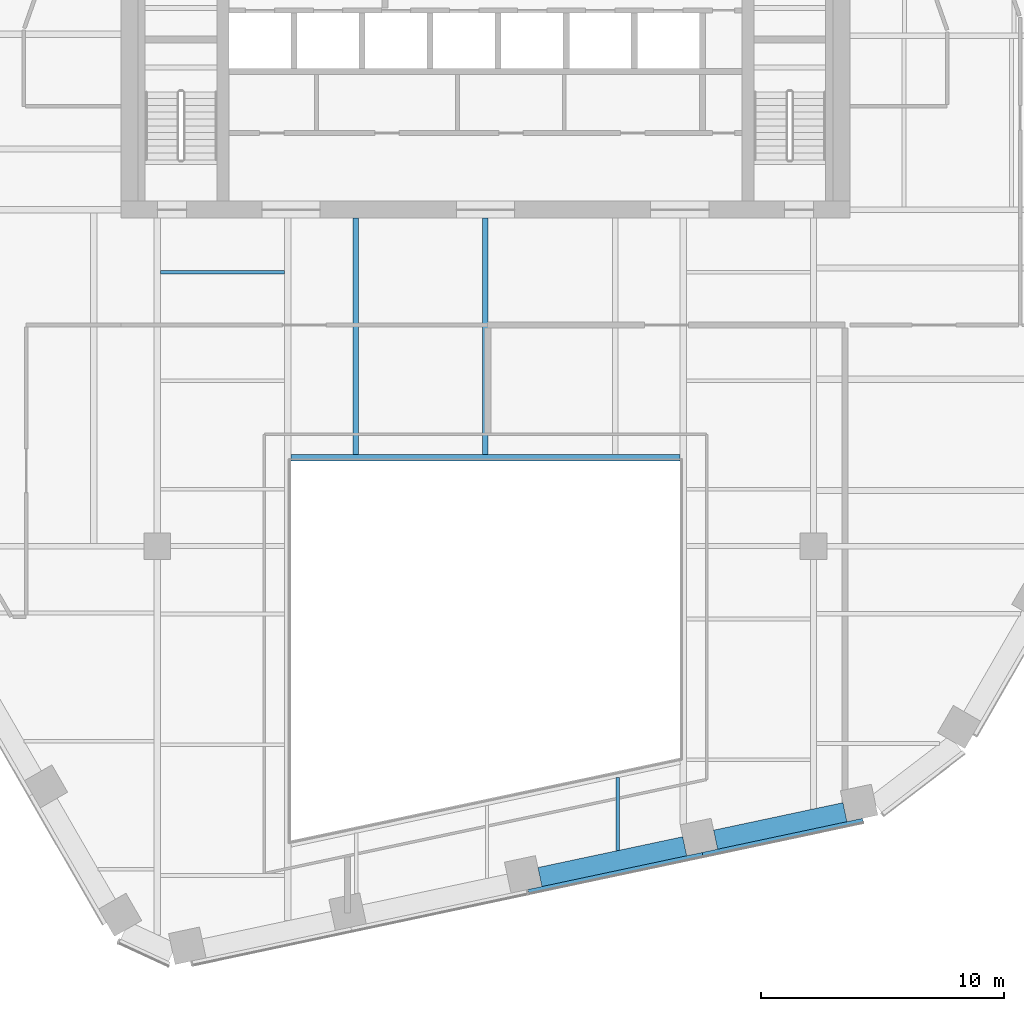
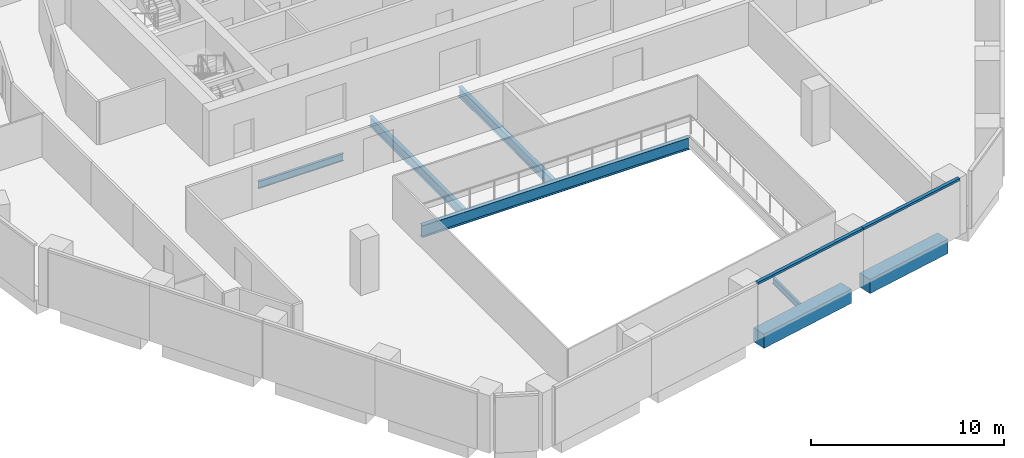
# One storey, part 4 of 16: 7 beams, 2 members, 1 element without a shape of its own.
"""IFC4 building model written with IfcOpenShell, lengths in metres."""

import ifcopenshell
import ifcopenshell.guid

model = None  # the IFC model being written
_history = None  # IfcOwnerHistory: only IFC2X3 demands one
_inside = {}  # id of a spatial element -> (the spatial element, [elements in it])
_under = {}  # id of a project, library or spatial element -> (it, [spatial elements below it])
_declared = {}  # id of a project -> (the project, [libraries it declares])
_typed = {}  # id of a type object -> (the type object, [elements of that type])
_made_of = {}  # id of a material, layer set ... -> (it, [elements and type objects made of it])


def new_model(schema):
    """Start an empty IFC model of exactly this schema.

    Asked for "IFC4X3", IfcOpenShell would pick the latest addendum, in which some entities
    have other attributes; the version numbers below select the first issue.
    IFC2X3 requires an IfcOwnerHistory on every rooted entity: one is made here for all.
    """
    global model, _history
    if schema == "IFC4X3":
        model = ifcopenshell.file(schema_version=(4, 3, 0, 0))
    else:
        model = ifcopenshell.file(schema=schema)
    _inside.clear()
    _under.clear()
    _declared.clear()
    _typed.clear()
    _made_of.clear()
    _history = None
    if model.schema == "IFC2X3":
        org = make("IfcOrganization", Name="unknown")
        user = make(
            "IfcPersonAndOrganization",
            ThePerson=make("IfcPerson", FamilyName="unknown"),
            TheOrganization=org,
        )
        app = make(
            "IfcApplication",
            ApplicationDeveloper=org,
            Version="unknown",
            ApplicationFullName="unknown",
            ApplicationIdentifier="unknown",
        )
        _history = make(
            "IfcOwnerHistory",
            OwningUser=user,
            OwningApplication=app,
            ChangeAction="ADDED",
            CreationDate=0,
        )
    return model


def make(cls, **values):
    """One entity of the class cls with the attributes given. An attribute that is None is left unset."""
    return model.create_entity(
        cls, **{name: value for name, value in values.items() if value is not None}
    )


def rooted(cls, **values):
    """An entity with a GlobalId (a new one), such as an element, a storey or a relation."""
    return make(cls, GlobalId=ifcopenshell.guid.new(), OwnerHistory=_history, **values)


def si_unit(unit_type, name, prefix=None):
    """IfcSIUnit, for example si_unit("LENGTHUNIT", "METRE", prefix="MILLI")."""
    return make("IfcSIUnit", UnitType=unit_type, Prefix=prefix, Name=name)


def assignment(units):
    """IfcUnitAssignment: the units of a project."""
    return None if units is None else make("IfcUnitAssignment", Units=units)


def point(xyz):
    """IfcCartesianPoint."""
    return None if xyz is None else make("IfcCartesianPoint", Coordinates=xyz)


def direction(xyz):
    """IfcDirection."""
    return None if xyz is None else make("IfcDirection", DirectionRatios=xyz)


def frame(location, z_axis=None, x_axis=None):
    """IfcAxis2Placement3D, a coordinate frame: its origin and axes. An axis left out is left unset."""
    return make(
        "IfcAxis2Placement3D",
        Location=point(location),
        Axis=direction(z_axis),
        RefDirection=direction(x_axis),
    )


def frame_2d(location, x_axis=None):
    """IfcAxis2Placement2D, a coordinate frame in the plane: its origin and x axis."""
    return make(
        "IfcAxis2Placement2D", Location=point(location), RefDirection=direction(x_axis)
    )


def origin():
    """The frame at (0, 0, 0) with its axes left unset."""
    return frame((0.0, 0.0, 0.0))


def origin_2d():
    """The frame at (0, 0) in the plane with its x axis left unset."""
    return frame_2d((0.0, 0.0))


def place(relative_to, where):
    """IfcLocalPlacement: puts the frame where relative to a parent placement (None: the world)."""
    return make(
        "IfcLocalPlacement", PlacementRelTo=relative_to, RelativePlacement=where
    )


def context(
    kind, dimensions, precision=None, world=None, true_north=None, identifier=None
):
    """IfcGeometricRepresentationContext, for example the 3D "Model" context."""
    return make(
        "IfcGeometricRepresentationContext",
        ContextIdentifier=identifier,
        ContextType=kind,
        CoordinateSpaceDimension=dimensions,
        Precision=precision,
        WorldCoordinateSystem=world,
        TrueNorth=true_north,
    )


def subcontext(parent, identifier, kind, view, scale=None):
    """IfcGeometricRepresentationSubContext, for example "Body" below "Model"."""
    return make(
        "IfcGeometricRepresentationSubContext",
        ContextIdentifier=identifier,
        ContextType=kind,
        ParentContext=parent,
        TargetScale=scale,
        TargetView=view,
    )


def project(units=None, contexts=None):
    """IfcProject with its units and contexts."""
    return rooted(
        "IfcProject",
        Name="project",
        RepresentationContexts=contexts,
        UnitsInContext=assignment(units),
    )


def spatial(cls, under=None, at=None, **own):
    """A site, building, storey or space (cls), placed at a placement, below another one or the project."""
    s = rooted(cls, ObjectPlacement=at, **own)
    if under is not None:
        _under.setdefault(under.id(), (under, []))[1].append(s)
    return s


def profile(cls, at=None, kind="AREA", **sizes):
    """A parametric profile (cls). Its sizes go by their IFC names, for example OverallWidth=200.0."""
    return make(cls, ProfileType=kind, Position=at, **sizes)


def rectangle(**sizes):
    """IfcRectangleProfileDef."""
    return profile("IfcRectangleProfileDef", **sizes)


def i_section(**sizes):
    """IfcIShapeProfileDef."""
    return profile("IfcIShapeProfileDef", **sizes)


def extrude(swept, where, along, depth):
    """IfcExtrudedAreaSolid: the profile swept, set in the frame where, extruded along a direction by depth."""
    return make(
        "IfcExtrudedAreaSolid",
        SweptArea=swept,
        Position=where,
        ExtrudedDirection=direction(along),
        Depth=depth,
    )


def shape(context_of_items, identifier, shape_type, items):
    """IfcShapeRepresentation: the items that make up one representation, for example the "Body"."""
    return make(
        "IfcShapeRepresentation",
        ContextOfItems=context_of_items,
        RepresentationIdentifier=identifier,
        RepresentationType=shape_type,
        Items=items,
    )


def material(Name=None, Category=None):
    """IfcMaterial."""
    return make("IfcMaterial", Name=Name, Category=Category)


def layer(
    of_material, thickness, ventilated=None, Name=None, Category=None, Priority=None
):
    """IfcMaterialLayer: one layer of a wall or slab, of a material (None: an air gap)."""
    return make(
        "IfcMaterialLayer",
        Material=of_material,
        LayerThickness=thickness,
        IsVentilated=ventilated,
        Name=Name,
        Category=Category,
        Priority=Priority,
    )


def layer_set(layers, Name=None):
    """IfcMaterialLayerSet."""
    return make("IfcMaterialLayerSet", MaterialLayers=layers, LayerSetName=Name)


def material_profile(
    of_material, cross_section, Name=None, Category=None, Priority=None
):
    """IfcMaterialProfile: a cross section and its material."""
    return make(
        "IfcMaterialProfile",
        Name=Name,
        Material=of_material,
        Profile=cross_section,
        Priority=Priority,
        Category=Category,
    )


def profile_set(profiles, Name=None, composite=None):
    """IfcMaterialProfileSet."""
    return make(
        "IfcMaterialProfileSet",
        Name=Name,
        MaterialProfiles=profiles,
        CompositeProfile=composite,
    )


def made_of(thing, what):
    """Note that an element or type object is made of a material, layer set ...; save() writes the relation."""
    if what is not None:
        _made_of.setdefault(what.id(), (what, []))[1].append(thing)
    return thing


def type_object(cls, material=None, **own):
    """A type object (cls), such as IfcWallType, which elements share."""
    return made_of(rooted(cls, **own), material)


def element(
    cls,
    number,
    at=None,
    inside=None,
    cuts=None,
    type_object=None,
    material=None,
    context=None,
    identifier="Body",
    shape_type=None,
    held_by="IfcProductDefinitionShape",
    body=None,
    shapes=None,
    **own,
):
    """One element of the class cls, such as IfcWall. Its Tag is "e" and its number.

    at: its placement. inside: the storey or other place that contains it. cuts: it is an
    opening in that element (IfcRelVoidsElement). A single representation is given by context,
    identifier, shape_type and body (its items); several are given by shapes. held_by: the class
    of the entity that holds the representations. save() writes the other relations.
    """
    e = rooted(cls, Tag="e%d" % number, ObjectPlacement=at, **own)
    if body is not None:
        shapes = [shape(context, identifier, shape_type, body)]
    if shapes is not None:
        e.Representation = make(held_by, Representations=shapes)
    if inside is not None:
        _inside.setdefault(inside.id(), (inside, []))[1].append(e)
    if cuts is not None:
        rooted(
            "IfcRelVoidsElement", RelatingBuildingElement=cuts, RelatedOpeningElement=e
        )
    if type_object is not None:
        _typed.setdefault(type_object.id(), (type_object, []))[1].append(e)
    return made_of(e, material)


def aggregate(whole, parts):
    """IfcRelAggregates: a whole, such as a stair, and the parts it consists of."""
    return rooted("IfcRelAggregates", RelatingObject=whole, RelatedObjects=parts)


def save(model, path):
    """Write the relations noted so far, then the file.

    IfcRelAggregates (storeys below a building ...), IfcRelContainedInSpatialStructure (elements
    in a storey), IfcRelDefinesByType, IfcRelAssociatesMaterial and IfcRelDeclares: one each for
    every whole, place, type object, material and project.
    """
    for whole, parts in _under.values():
        aggregate(whole, parts)
    for where, things in _inside.values():
        rooted(
            "IfcRelContainedInSpatialStructure",
            RelatedElements=things,
            RelatingStructure=where,
        )
    for kind, things in _typed.values():
        rooted("IfcRelDefinesByType", RelatedObjects=things, RelatingType=kind)
    for what, things in _made_of.values():
        rooted("IfcRelAssociatesMaterial", RelatedObjects=things, RelatingMaterial=what)
    for by, libraries in _declared.values():
        rooted("IfcRelDeclares", RelatingContext=by, RelatedDefinitions=libraries)
    model.write(path)


model = new_model("IFC4")

# Units and contexts
model_context = context("Model", 3, precision=1e-05, world=origin(), true_north=direction((0.0, 1.0)))
body_context = subcontext(model_context, "Body", "Model", "MODEL_VIEW")
ifc_project = project(units=[si_unit("LENGTHUNIT", "METRE"), si_unit("AREAUNIT", "SQUARE_METRE"), si_unit("VOLUMEUNIT", "CUBIC_METRE"), si_unit("PLANEANGLEUNIT", "RADIAN"), si_unit("MASSUNIT", "GRAM", prefix="KILO")], contexts=[model_context])

# Site, building, storey
site_placement = place(None, origin())
site = spatial("IfcSite", under=ifc_project, at=site_placement, CompositionType="ELEMENT")
building_placement = place(site_placement, origin())
building = spatial("IfcBuilding", under=site, at=building_placement, Name="Isthmus Gate Tower", CompositionType="ELEMENT")
storey_placement = place(building_placement, frame((0.0, 0.0, 185.39990234375)))
storey = spatial("IfcBuildingStorey", under=building, at=storey_placement, Name="L46", CompositionType="ELEMENT", Elevation=185.39990234375)

# Curtain wall, members
ifc_material_1 = material(Name="Aluminium, pale champagne anodised", Category="aluminium")
ifc_layer = layer(ifc_material_1, 0.199951171875)
ifc_layer_set = layer_set([ifc_layer], Name="CW-1 UNITISED CURTAIN WALL 200 DEEP")
curtain_wall_type = type_object("IfcCurtainWallType", Name="CW-1 UNITISED CURTAIN WALL 200 DEEP", PredefinedType="NOTDEFINED", material=ifc_layer_set)
curtain_wall_placement = place(storey_placement, origin())
curtain_wall = element("IfcCurtainWall", 1, at=curtain_wall_placement, inside=storey, type_object=curtain_wall_type, Name="CW-1 S L46", PredefinedType="NOTDEFINED")
ifc_material_2 = material(Name="Aluminium, pale champagne anodised", Category="aluminium")
ifc_material_profile_1 = material_profile(ifc_material_2, rectangle(XDim=0.199951171875, YDim=0.139892578125, at=origin_2d()), Name="200x140")
ifc_profile_set_1 = profile_set([ifc_material_profile_1], Name="Aluminium, pale champagne anodised")
member_type = type_object("IfcMemberType", Name="CW-1 TRANSOM 200 X 140", PredefinedType="USERDEFINED", material=ifc_profile_set_1)
member_1_placement = place(storey_placement, frame((1.76953125, -27.72607421875, 3.580078125), z_axis=(0.978146152746, 0.207918502948, 0.0), x_axis=(-0.207918502948, 0.978146152746, 0.0)))
member_1 = element("IfcMember", 2, at=member_1_placement, type_object=member_type, Name="CW-1 transom", ObjectType="TRANSOM", PredefinedType="USERDEFINED", context=body_context, shape_type="SweptSolid", body=[
    extrude(rectangle(XDim=0.199951171875, YDim=0.139892578125, at=origin_2d()), origin(), (0.0, 0.0, 1.0), 7.33056640625),
])
member_2_placement = place(storey_placement, frame((8.93994140625, -26.201904296875, 3.580078125), z_axis=(0.978151394347, 0.207893842469, 0.0), x_axis=(-0.207893842469, 0.978151394347, 0.0)))
member_2 = element("IfcMember", 3, at=member_2_placement, type_object=member_type, Name="CW-1 transom", ObjectType="TRANSOM", PredefinedType="USERDEFINED", context=body_context, shape_type="SweptSolid", body=[
    extrude(rectangle(XDim=0.199951171875, YDim=0.139892578125, at=origin_2d()), origin(), (0.0, 0.0, 1.0), 6.74072265625),
])
aggregate(curtain_wall, [member_1, member_2])

# Beams
ifc_material_3 = material(Name="Concrete f'c 60 MPa", Category="concrete")
ifc_material_profile_2 = material_profile(ifc_material_3, rectangle(XDim=0.800048828125, YDim=0.89990234375, at=origin_2d()), Name="RC 800X900")
ifc_profile_set_2 = profile_set([ifc_material_profile_2], Name="Concrete f'c 60 MPa")
beam_type_1 = type_object("IfcBeamType", Name="RC SPANDREL 800 X 900", PredefinedType="SPANDREL", material=ifc_profile_set_2)
beam_1_placement = place(storey_placement, frame((14.793701171875, -24.446533203125, -0.449951171875), z_axis=(-0.978150410773, -0.207898470186, 0.0), x_axis=(0.207898470186, -0.978150410773, 0.0)))
element("IfcBeam", 4, at=beam_1_placement, inside=storey, type_object=beam_type_1, Name="str-spandrel-L46-11", PredefinedType="SPANDREL", context=body_context, shape_type="SweptSolid", body=[
    extrude(rectangle(XDim=0.800048828125, YDim=0.89990234375, at=origin_2d()), origin(), (0.0, 0.0, 1.0), 5.440673828125),
])
beam_2_placement = place(storey_placement, frame((8.2001953125, -25.84814453125, -0.449951171875), z_axis=(-0.978146012851, -0.207919161079, 0.0), x_axis=(0.207919161079, -0.978146012851, 0.0)))
element("IfcBeam", 5, at=beam_2_placement, inside=storey, type_object=beam_type_1, Name="str-spandrel-L46-12", PredefinedType="SPANDREL", context=body_context, shape_type="SweptSolid", body=[
    extrude(rectangle(XDim=0.800048828125, YDim=0.89990234375, at=origin_2d()), origin(), (0.0, 0.0, 1.0), 6.090576171875),
])
ifc_material_4 = material(Name="Structural steel ASTM A992 Gr 50", Category="steel")
ifc_material_profile_3 = material_profile(ifc_material_4, i_section(OverallWidth=0.1396484375, OverallDepth=0.4033203125, WebThickness=0.00634765625, FlangeThickness=0.010986328125, at=origin_2d()), Name="W16X31")
ifc_profile_set_3 = profile_set([ifc_material_profile_3], Name="Structural steel ASTM A992 Gr 50")
beam_type_2 = type_object("IfcBeamType", Name="STEEL FLOOR BEAM W16X31", PredefinedType="JOIST", material=ifc_profile_set_3)
beam_3_placement = place(storey_placement, frame((5.443115234375, -26.025146484375, -0.3515625), z_axis=(0.0, 1.0, 0.0), x_axis=(-1.0, 0.0, 0.0)))
element("IfcBeam", 6, at=beam_3_placement, inside=storey, type_object=beam_type_2, Name="str-beam-L46-07-02", PredefinedType="JOIST", context=body_context, shape_type="SweptSolid", body=[
    extrude(i_section(OverallWidth=0.1396484375, OverallDepth=0.4033203125, WebThickness=0.00634765625, FlangeThickness=0.010986328125, at=origin_2d()), origin(), (0.0, 0.0, 1.0), 2.998779296875),
])
ifc_material_5 = material(Name="Structural steel ASTM A992 Gr 50", Category="steel")
ifc_material_profile_4 = material_profile(ifc_material_5, i_section(OverallWidth=0.15234375, OverallDepth=0.45068359375, WebThickness=0.0078125, FlangeThickness=0.010986328125, at=origin_2d()), Name="W18X35")
ifc_profile_set_4 = profile_set([ifc_material_profile_4], Name="Structural steel ASTM A992 Gr 50")
beam_type_3 = type_object("IfcBeamType", Name="STEEL FLOOR BEAM W18X35", PredefinedType="JOIST", material=ifc_profile_set_4)
beam_4_placement = place(storey_placement, frame((-13.3681640625, -2.232421875, -0.375244140625), z_axis=(1.0, 0.0, 0.0), x_axis=(0.0, 1.0, 0.0)))
element("IfcBeam", 7, at=beam_4_placement, inside=storey, type_object=beam_type_3, Name="str-beam-L46-04-02", PredefinedType="JOIST", context=body_context, shape_type="SweptSolid", body=[
    extrude(i_section(OverallWidth=0.15234375, OverallDepth=0.45068359375, WebThickness=0.0078125, FlangeThickness=0.010986328125, at=origin_2d()), origin(), (0.0, 0.0, 1.0), 5.1015625),
])
ifc_material_6 = material(Name="Structural steel ASTM A992 Gr 50", Category="steel")
ifc_material_profile_5 = material_profile(ifc_material_6, i_section(OverallWidth=0.228515625, OverallDepth=0.603271484375, WebThickness=0.010986328125, FlangeThickness=0.014404296875, at=origin_2d()), Name="W24X68")
ifc_profile_set_5 = profile_set([ifc_material_profile_5], Name="Structural steel ASTM A992 Gr 50")
beam_type_4 = type_object("IfcBeamType", Name="STEEL FLOOR BEAM W24X68", PredefinedType="JOIST", material=ifc_profile_set_5)
for number, where, z_axis, x_axis, name in (
    (8, (-5.333251953125, -9.7333984375, -0.451416015625), (0.0, 1.0, 0.0), (-1.0, 0.0, 0.0), "str-beam-L46-06-00"),
    (9, (0.0, -9.7333984375, -0.451416015625), (0.0, 1.0, 0.0), (-1.0, 0.0, 0.0), "str-beam-L46-06-01"),
):
    element("IfcBeam", number, at=place(storey_placement, frame(where, z_axis=z_axis, x_axis=x_axis)), inside=storey, type_object=beam_type_4, Name=name, PredefinedType="JOIST", context=body_context, shape_type="SweptSolid", body=[
        extrude(i_section(OverallWidth=0.228515625, OverallDepth=0.603271484375, WebThickness=0.010986328125, FlangeThickness=0.014404296875, at=origin_2d()), origin(), (0.0, 0.0, 1.0), 9.7333984375),
    ])
ifc_material_7 = material(Name="Structural steel ASTM A992 Gr 50", Category="steel")
ifc_material_profile_6 = material_profile(ifc_material_7, i_section(OverallWidth=0.2666015625, OverallDepth=0.7587890625, WebThickness=0.014404296875, FlangeThickness=0.01904296875, at=origin_2d()), Name="W30X108")
ifc_profile_set_6 = profile_set([ifc_material_profile_6], Name="Structural steel ASTM A992 Gr 50")
beam_type_5 = type_object("IfcBeamType", Name="STEEL TRIMMER W30X108", PredefinedType="BEAM", material=ifc_profile_set_6)
beam_5_placement = place(storey_placement, frame((8.0, -9.86669921875, -0.529296875), z_axis=(-1.0, 0.0, 0.0), x_axis=(0.0, -1.0, 0.0)))
element("IfcBeam", 10, at=beam_5_placement, inside=storey, type_object=beam_type_5, Name="str-trimmer-L46-04", PredefinedType="BEAM", context=body_context, shape_type="SweptSolid", body=[
    extrude(i_section(OverallWidth=0.2666015625, OverallDepth=0.7587890625, WebThickness=0.014404296875, FlangeThickness=0.01904296875, at=origin_2d()), origin(), (0.0, 0.0, 1.0), 16.0),
])

save(model, "model.ifc")
